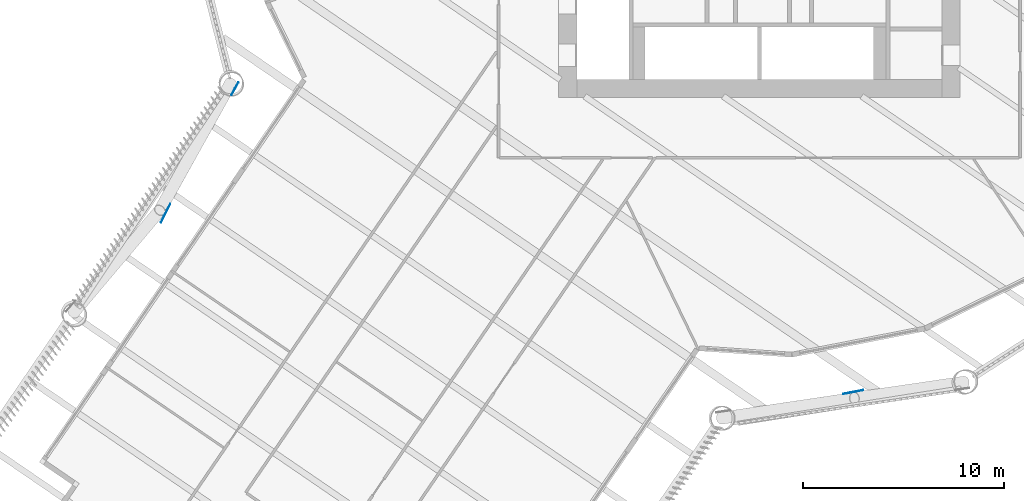
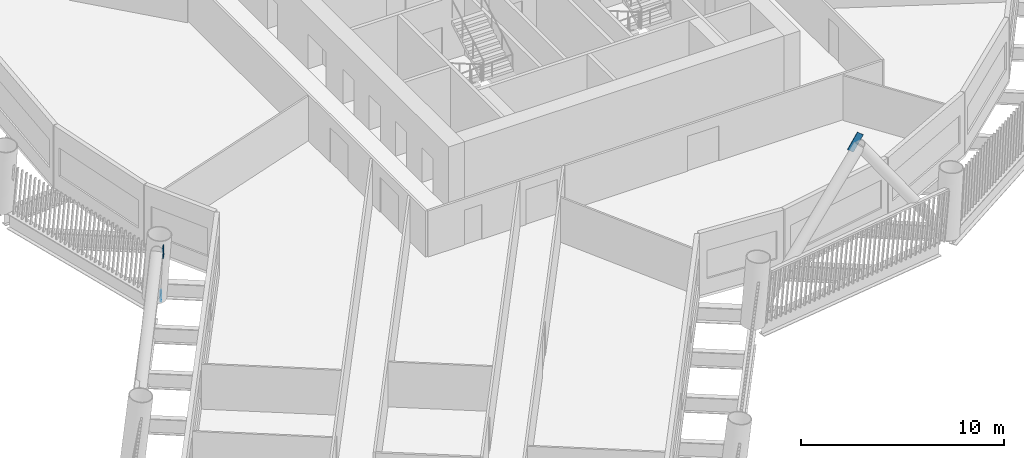
# One storey, part 9 of 22: 3 discrete accessories.
"""IFC4 building model written with IfcOpenShell, lengths in metres."""

from ifc_helpers import new_model, si_unit, direction, frame, origin, origin_2d, place, context, subcontext, project, spatial, rectangle, extrude, material, material_profile, profile_set, type_object, element, save


model = new_model("IFC4")

# Units and contexts
model_context = context("Model", 3, precision=1e-05, world=origin(), true_north=direction((0.0, 1.0)))
body_context = subcontext(model_context, "Body", "Model", "MODEL_VIEW")
ifc_project = project(units=[si_unit("LENGTHUNIT", "METRE"), si_unit("AREAUNIT", "SQUARE_METRE"), si_unit("VOLUMEUNIT", "CUBIC_METRE"), si_unit("PLANEANGLEUNIT", "RADIAN"), si_unit("MASSUNIT", "GRAM", prefix="KILO")], contexts=[model_context])

# Site, building, storey
site_placement = place(None, origin())
site = spatial("IfcSite", under=ifc_project, at=site_placement, CompositionType="ELEMENT")
building_placement = place(site_placement, origin())
building = spatial("IfcBuilding", under=site, at=building_placement, Name="Tarsis Ring Headquarters", CompositionType="ELEMENT")
storey_placement = place(building_placement, frame((0.0, 0.0, 55.60009765625)))
storey = spatial("IfcBuildingStorey", under=building, at=storey_placement, Name="L11", CompositionType="ELEMENT", Elevation=55.60009765625)

# Discrete accessories
ifc_material = material(Name="Structural steel S355", Category="steel")
ifc_material_profile = material_profile(ifc_material, rectangle(XDim=0.02490234375, YDim=0.5, at=origin_2d()), Name="PL 25x500")
ifc_profile_set = profile_set([ifc_material_profile], Name="Structural steel S355")
discrete_accessory_type = type_object("IfcDiscreteAccessoryType", Name="Gusset plate Exo brace 25", PredefinedType="BRACKET", material=ifc_profile_set)
discrete_accessory_1_placement = place(storey_placement, frame((-26.05615234375, -12.4169921875, 0.0), z_axis=(-0.332151919695, -0.596408079336, 0.73073422333), x_axis=(0.873650536628, -0.486553943413, 0.0)))
element("IfcDiscreteAccessory", 1, at=discrete_accessory_1_placement, inside=storey, type_object=discrete_accessory_type, Name="Gusset plate GP5", PredefinedType="BRACKET", context=body_context, shape_type="SweptSolid", body=[
    extrude(rectangle(XDim=0.02490234375, YDim=0.5, at=origin_2d()), origin(), (0.0, 0.0, 1.0), 0.499755859375),
])
discrete_accessory_2_placement = place(storey_placement, frame((-29.439697265625, -18.4658203125, 7.434814453125), z_axis=(-0.307870595276, -0.609881639174, 0.730246590381), x_axis=(0.892705245023, -0.45064103842, 0.0)))
element("IfcDiscreteAccessory", 2, at=discrete_accessory_2_placement, inside=storey, type_object=discrete_accessory_type, Name="Gusset plate GP5", PredefinedType="BRACKET", context=body_context, shape_type="SweptSolid", body=[
    extrude(rectangle(XDim=0.02490234375, YDim=0.5, at=origin_2d()), origin(), (0.0, 0.0, 1.0), 1.0),
])
discrete_accessory_3_placement = place(storey_placement, frame((4.3564453125, -27.746826171875, 7.421142578125), z_axis=(0.641203617544, 0.121599162809, 0.757675104813), x_axis=(-0.186321197741, 0.982488886081, 0.0)))
element("IfcDiscreteAccessory", 3, at=discrete_accessory_3_placement, inside=storey, type_object=discrete_accessory_type, Name="Gusset plate GP5", PredefinedType="BRACKET", context=body_context, shape_type="SweptSolid", body=[
    extrude(rectangle(XDim=0.02490234375, YDim=0.5, at=origin_2d()), origin(), (0.0, 0.0, 1.0), 0.999755859375),
])

save(model, "model.ifc")
